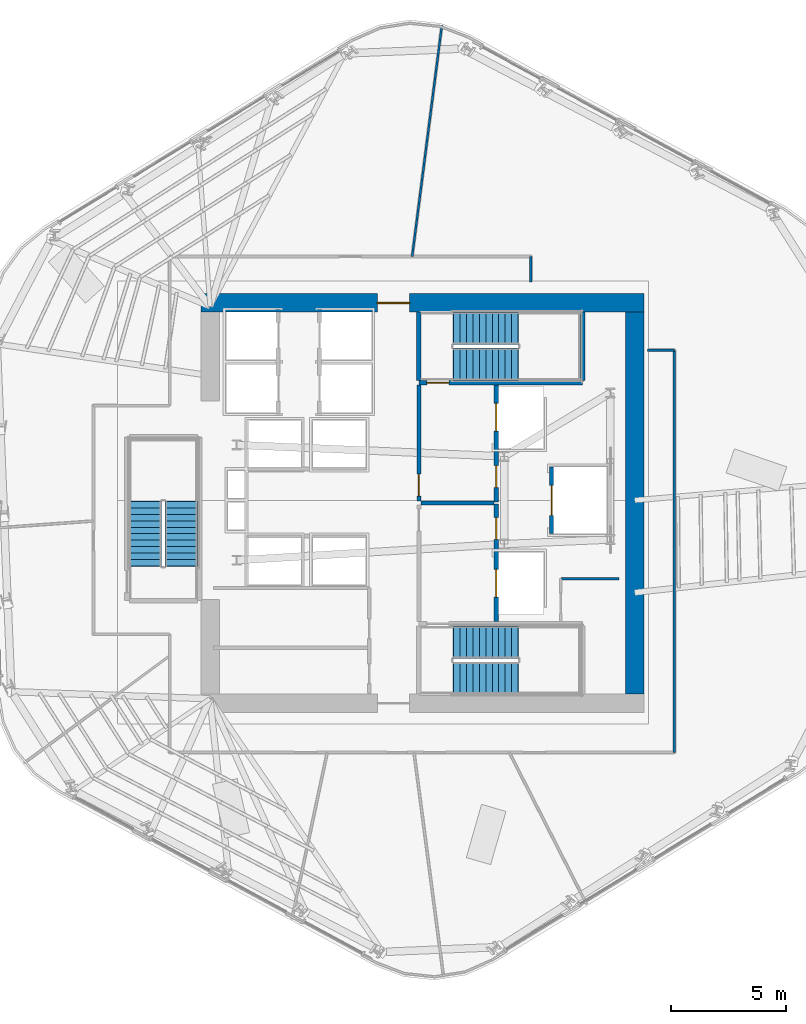
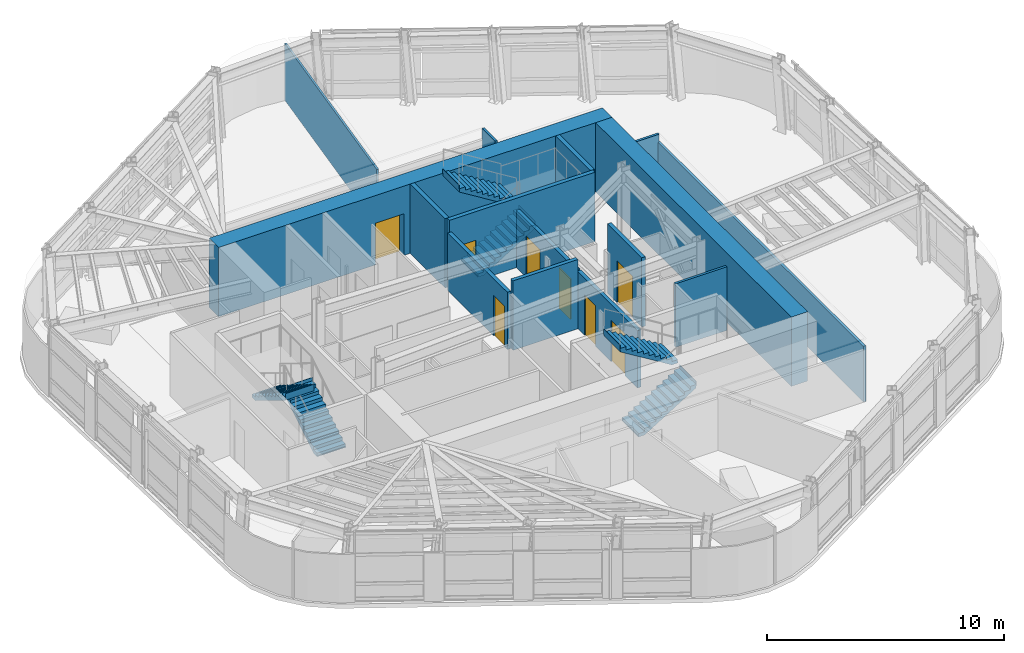
# One storey, part 9 of 15: 15 walls, 8 doors, 6 stair flights, 8 openings, 3 elements without a shape of their own.
"""IFC4 building model written with IfcOpenShell, lengths in metres."""

from ifc_helpers import new_model, si_unit, direction, frame, frame_2d, origin, place, context, subcontext, project, spatial, polyline, rectangle, outline, extrude, material, layer, layer_set, type_object, element, fill, aggregate, save


model = new_model("IFC4")

# Units and contexts
model_context = context("Model", 3, precision=1e-05, world=origin(), true_north=direction((0.0, 1.0)))
body_context = subcontext(model_context, "Body", "Model", "MODEL_VIEW")
ifc_project = project(units=[si_unit("LENGTHUNIT", "METRE"), si_unit("AREAUNIT", "SQUARE_METRE"), si_unit("VOLUMEUNIT", "CUBIC_METRE"), si_unit("PLANEANGLEUNIT", "RADIAN"), si_unit("MASSUNIT", "GRAM", prefix="KILO")], contexts=[model_context])

# Site, building, storey
site_placement = place(None, origin())
site = spatial("IfcSite", under=ifc_project, at=site_placement, CompositionType="ELEMENT")
building_placement = place(site_placement, origin())
building = spatial("IfcBuilding", under=site, at=building_placement, Name="Valkerne Bourse Tower", CompositionType="ELEMENT")
storey_placement = place(building_placement, frame((0.0, 0.0, 159.0)))
storey = spatial("IfcBuildingStorey", under=building, at=storey_placement, Name="L40", CompositionType="ELEMENT", Elevation=159.0)

# Wall, opening, door
ifc_material_1 = material(Name="Concrete C55/67", Category="concrete")
ifc_layer_1 = layer(ifc_material_1, 0.800048828125)
ifc_layer_set_1 = layer_set([ifc_layer_1], Name="Concrete C55/67")
wall_type_1 = type_object("IfcWallType", Name="W-CORE-800", PredefinedType="SHEAR", material=ifc_layer_set_1)
wall_1_placement = place(storey_placement, frame((37.199951171875, 35.550048828125, 0.0), z_axis=(0.0, 0.0, 1.0), x_axis=(1.0, 0.0, 0.0)))
wall_1 = element("IfcWall", 1, at=wall_1_placement, inside=storey, type_object=wall_type_1, Name="L40 Core Shear Wall NORTH", PredefinedType="SHEAR", context=body_context, shape_type="SweptSolid", body=[
    extrude(rectangle(XDim=19.199951171875, YDim=0.800048828125, at=frame_2d((9.60009765625, 0.0))), origin(), (0.0, 0.0, 1.0), 3.580078125),
])
opening_1_placement = place(wall_1_placement, frame((7.64990234375, 0.0, 0.0)))
opening_1 = element("IfcOpeningElement", 2, at=opening_1_placement, cuts=wall_1, Name="Opening D-PL-1400", PredefinedType="OPENING", context=body_context, shape_type="SweptSolid", body=[
    extrude(rectangle(XDim=1.39990234375, YDim=2.14990234375, at=frame_2d((0.699951171875, 1.074951171875))), frame((0.0, 0.409912109375, 0.0), z_axis=(0.0, -1.0, 0.0), x_axis=(1.0, 0.0, 0.0)), (0.0, 0.0, 1.0), 0.820068359375),
])
ifc_material_2 = material(Name="Galvanised Painted Steel", Category="steel")
door_type_1 = type_object("IfcDoorType", Name="DR-PLT-1400", OperationType="DOUBLE_DOOR_SINGLE_SWING", PredefinedType="DOOR", material=ifc_material_2)
door_1_placement = place(opening_1_placement, origin())
door_1 = element("IfcDoor", 3, at=door_1_placement, inside=storey, type_object=door_type_1, Name="L40 North Passenger Lift Hall Fire Door", OperationType="DOUBLE_DOOR_SINGLE_SWING", OverallHeight=2.14990234375, OverallWidth=1.39990234375, PredefinedType="DOOR", context=body_context, shape_type="SweptSolid", body=[
    extrude(rectangle(XDim=1.39990234375, YDim=2.14990234375, at=frame_2d((0.699951171875, 1.074951171875))), frame((0.0, 0.02490234375, 0.0), z_axis=(0.0, -1.0, 0.0), x_axis=(1.0, 0.0, 0.0)), (0.0, 0.0, 1.0), 0.050048828125),
])
fill(opening_1, door_1)

# Walls
wall_2_placement = place(storey_placement, frame((56.0, 18.60009765625, 0.0), z_axis=(0.0, 0.0, 1.0), x_axis=(0.0, 1.0, 0.0)))
element("IfcWall", 4, at=wall_2_placement, inside=storey, type_object=wall_type_1, Name="L40 Core Shear Wall EAST", PredefinedType="SHEAR", context=body_context, shape_type="SweptSolid", body=[
    extrude(rectangle(XDim=16.5498046875, YDim=0.800048828125, at=frame_2d((8.27490234375, 0.0))), origin(), (0.0, 0.0, 1.0), 3.580078125),
])
ifc_material_3 = material(Name="Gypsum Board Steel-Stud Partition", Category="steel")
ifc_layer_2 = layer(ifc_material_3, 0.117919921875)
ifc_layer_set_2 = layer_set([ifc_layer_2], Name="Gypsum Board Steel-Stud Partition")
wall_type_2 = type_object("IfcWallType", Name="W-CORR-140", PredefinedType="PARTITIONING", material=ifc_layer_set_2)
wall_3_placement = place(storey_placement, frame((52.800048828125, 23.60009765625, 0.0), z_axis=(0.0, 0.0, 1.0), x_axis=(1.0, 0.0, 0.0)))
element("IfcWall", 5, at=wall_3_placement, inside=storey, type_object=wall_type_2, Name="L40 Core SE South-Bay North Wall", PredefinedType="PARTITIONING", context=body_context, shape_type="SweptSolid", body=[
    extrude(rectangle(XDim=2.52001953125, YDim=0.117919921875, at=frame_2d((1.260009765625, 0.0))), origin(), (0.0, 0.0, 1.0), 3.280029296875),
])
wall_4_placement = place(storey_placement, frame((51.5, 37.56005859375, 0.0), z_axis=(0.0, 0.0, 1.0), x_axis=(0.0, -1.0, 0.0)))
element("IfcWall", 6, at=wall_4_placement, inside=storey, type_object=wall_type_2, Name="L40 Corridor Enclosure Wall", PredefinedType="PARTITIONING", context=body_context, shape_type="SweptSolid", body=[
    extrude(rectangle(XDim=1.10009765625, YDim=0.117919921875, at=frame_2d((0.550048828125, 0.0))), origin(), (0.0, 0.0, 1.0), 3.280029296875),
])
wall_5_placement = place(storey_placement, frame((56.56005859375, 33.5, 0.0), z_axis=(0.0, 0.0, 1.0), x_axis=(1.0, 0.0, 0.0)))
element("IfcWall", 7, at=wall_5_placement, inside=storey, type_object=wall_type_2, Name="L40 Corridor Enclosure Wall", PredefinedType="PARTITIONING", context=body_context, shape_type="SweptSolid", body=[
    extrude(rectangle(XDim=1.159912109375, YDim=0.117919921875, at=frame_2d((0.580078125, 0.0))), origin(), (0.0, 0.0, 1.0), 3.280029296875),
])
wall_6_placement = place(storey_placement, frame((57.719970703125, 33.5, 0.0), z_axis=(0.0, 0.0, 1.0), x_axis=(0.0, -1.0, 0.0)))
element("IfcWall", 8, at=wall_6_placement, inside=storey, type_object=wall_type_2, Name="L40 Corridor Enclosure Wall", PredefinedType="PARTITIONING", context=body_context, shape_type="SweptSolid", body=[
    extrude(rectangle(XDim=17.419921875, YDim=0.117919921875, at=frame_2d((8.7099609375, 0.0))), origin(), (0.0, 0.0, 1.0), 2.876708984375),
])
ifc_material_4 = material(Name="Gypsum Fire-Rated Shaftwall", Category="gypsum")
ifc_layer_3 = layer(ifc_material_4, 0.179931640625)
ifc_layer_set_3 = layer_set([ifc_layer_3], Name="Gypsum Fire-Rated Shaftwall")
wall_type_3 = type_object("IfcWallType", Name="W-FSAE-180", PredefinedType="PARTITIONING", material=ifc_layer_set_3)
wall_7_placement = place(storey_placement, frame((46.739990234375, 26.8798828125, 0.0), z_axis=(0.0, 0.0, 1.0), x_axis=(1.0, 0.0, 0.0)))
element("IfcWall", 9, at=wall_7_placement, inside=storey, type_object=wall_type_3, Name="L40 FSAE-1/2 Lobby Dividing Fire Wall", PredefinedType="PARTITIONING", context=body_context, shape_type="SweptSolid", body=[
    extrude(rectangle(XDim=3.169921875, YDim=0.179931640625, at=frame_2d((1.5849609375, 0.0))), origin(), (0.0, 0.0, 1.0), 3.580078125),
])

# Wall, opening, door
wall_8_placement = place(storey_placement, frame((46.64990234375, 26.9599609375, 0.0), z_axis=(0.0, 0.0, 1.0), x_axis=(0.0, 1.0, 0.0)))
wall_8 = element("IfcWall", 10, at=wall_8_placement, inside=storey, type_object=wall_type_3, Name="L40 FSAE-2 Lobby West Fire Wall", PredefinedType="PARTITIONING", context=body_context, shape_type="SweptSolid", body=[
    extrude(rectangle(XDim=5.0400390625, YDim=0.179931640625, at=frame_2d((2.52001953125, 0.0))), origin(), (0.0, 0.0, 1.0), 2.9580078125),
])
opening_2_placement = place(wall_8_placement, frame((0.219970703125, 0.0, 0.0)))
opening_2 = element("IfcOpeningElement", 11, at=opening_2_placement, cuts=wall_8, Name="Opening D-FS-950", PredefinedType="OPENING", context=body_context, shape_type="SweptSolid", body=[
    extrude(rectangle(XDim=0.949951171875, YDim=2.10009765625, at=frame_2d((0.47509765625, 1.050048828125))), frame((0.0, 0.099853515625, 0.0), z_axis=(0.0, -1.0, 0.0), x_axis=(1.0, 0.0, 0.0)), (0.0, 0.0, 1.0), 0.199951171875),
])
door_type_2 = type_object("IfcDoorType", Name="DR-FSAE-950", OperationType="NOTDEFINED", PredefinedType="DOOR", material=ifc_material_2)
door_2_placement = place(opening_2_placement, origin())
door_2 = element("IfcDoor", 12, at=door_2_placement, inside=storey, type_object=door_type_2, Name="L40 FSAE-2 Hall Link Fire Door", OperationType="SINGLE_SWING_LEFT", OverallHeight=2.10009765625, OverallWidth=0.949951171875, PredefinedType="DOOR", context=body_context, shape_type="SweptSolid", body=[
    extrude(rectangle(XDim=0.949951171875, YDim=2.10009765625, at=frame_2d((0.47509765625, 1.050048828125))), frame((0.0, 0.02490234375, 0.0), z_axis=(0.0, -1.0, 0.0), x_axis=(1.0, 0.0, 0.0)), (0.0, 0.0, 1.0), 0.050048828125),
])
fill(opening_2, door_2)

# Wall, openings, doors
wall_9_placement = place(storey_placement, frame((50.0, 21.75, 0.0), z_axis=(0.0, 0.0, 1.0), x_axis=(0.0, 1.0, 0.0)))
wall_9 = element("IfcWall", 13, at=wall_9_placement, inside=storey, type_object=wall_type_3, Name="L40 FSAE-1 Lobby & Shaft Front Wall", PredefinedType="PARTITIONING", context=body_context, shape_type="SweptSolid", body=[
    extrude(rectangle(XDim=5.090087890625, YDim=0.179931640625, at=frame_2d((2.544921875, 0.0))), origin(), (0.0, 0.0, 1.0), 2.9580078125),
])
opening_3_placement = place(wall_9_placement, frame((1.050048828125, 0.0, 0.0)))
opening_3 = element("IfcOpeningElement", 14, at=opening_3_placement, cuts=wall_9, Name="Opening LD-1200", PredefinedType="OPENING", context=body_context, shape_type="SweptSolid", body=[
    extrude(rectangle(XDim=1.199951171875, YDim=2.14990234375, at=frame_2d((0.60009765625, 1.074951171875))), frame((0.0, 0.099853515625, 0.0), z_axis=(0.0, -1.0, 0.0), x_axis=(1.0, 0.0, 0.0)), (0.0, 0.0, 1.0), 0.199951171875),
])
opening_4_placement = place(wall_9_placement, frame((3.550048828125, 0.0, 0.0)))
opening_4 = element("IfcOpeningElement", 15, at=opening_4_placement, cuts=wall_9, Name="Opening D-FS-950", PredefinedType="OPENING", context=body_context, shape_type="SweptSolid", body=[
    extrude(rectangle(XDim=0.949951171875, YDim=2.10009765625, at=frame_2d((0.47509765625, 1.050048828125))), frame((0.0, 0.099853515625, 0.0), z_axis=(0.0, -1.0, 0.0), x_axis=(1.0, 0.0, 0.0)), (0.0, 0.0, 1.0), 0.199951171875),
])
door_3_placement = place(opening_4_placement, origin())
door_3 = element("IfcDoor", 16, at=door_3_placement, inside=storey, type_object=door_type_2, Name="L40 FSAE-1 Lobby Corridor Fire Door", OperationType="SINGLE_SWING_RIGHT", OverallHeight=2.10009765625, OverallWidth=0.949951171875, PredefinedType="DOOR", context=body_context, shape_type="SweptSolid", body=[
    extrude(rectangle(XDim=0.949951171875, YDim=2.10009765625, at=frame_2d((0.47509765625, 1.050048828125))), frame((0.0, 0.02490234375, 0.0), z_axis=(0.0, -1.0, 0.0), x_axis=(1.0, 0.0, 0.0)), (0.0, 0.0, 1.0), 0.050048828125),
])
fill(opening_4, door_3)
ifc_material_5 = material(Name="Stainless Steel AISI 316", Category="steel")
door_type_3 = type_object("IfcDoorType", Name="DR-LIFT-1200", OperationType="DOUBLE_DOOR_SLIDING", PredefinedType="DOOR", material=ifc_material_5)
door_4_placement = place(opening_3_placement, origin())
door_4 = element("IfcDoor", 17, at=door_4_placement, inside=storey, type_object=door_type_3, Name="L40 FSAE-1 Firefighting Lift Landing Door", OperationType="DOUBLE_DOOR_SLIDING", OverallHeight=2.14990234375, OverallWidth=1.199951171875, PredefinedType="DOOR", context=body_context, shape_type="SweptSolid", body=[
    extrude(rectangle(XDim=1.199951171875, YDim=2.14990234375, at=frame_2d((0.60009765625, 1.074951171875))), frame((0.0, 0.02490234375, 0.0), z_axis=(0.0, -1.0, 0.0), x_axis=(1.0, 0.0, 0.0)), (0.0, 0.0, 1.0), 0.050048828125),
])
fill(opening_3, door_4)

wall_10_placement = place(storey_placement, frame((50.0, 26.919921875, 0.0), z_axis=(0.0, 0.0, 1.0), x_axis=(0.0, 1.0, 0.0)))
wall_10 = element("IfcWall", 18, at=wall_10_placement, inside=storey, type_object=wall_type_3, Name="L40 FSAE-2 Lobby & Shaft Front Wall", PredefinedType="PARTITIONING", context=body_context, shape_type="SweptSolid", body=[
    extrude(rectangle(XDim=5.080078125, YDim=0.179931640625, at=frame_2d((2.5400390625, 0.0))), origin(), (0.0, 0.0, 1.0), 2.9580078125),
])
opening_5_placement = place(wall_10_placement, frame((3.080078125, 0.0, 0.0)))
opening_5 = element("IfcOpeningElement", 19, at=opening_5_placement, cuts=wall_10, Name="Opening LD-1200", PredefinedType="OPENING", context=body_context, shape_type="SweptSolid", body=[
    extrude(rectangle(XDim=1.199951171875, YDim=2.14990234375, at=frame_2d((0.60009765625, 1.074951171875))), frame((0.0, 0.099853515625, 0.0), z_axis=(0.0, -1.0, 0.0), x_axis=(1.0, 0.0, 0.0)), (0.0, 0.0, 1.0), 0.199951171875),
])
opening_6_placement = place(wall_10_placement, frame((0.6298828125, 0.0, 0.0)))
opening_6 = element("IfcOpeningElement", 20, at=opening_6_placement, cuts=wall_10, Name="Opening D-FS-950", PredefinedType="OPENING", context=body_context, shape_type="SweptSolid", body=[
    extrude(rectangle(XDim=0.949951171875, YDim=2.10009765625, at=frame_2d((0.47509765625, 1.050048828125))), frame((0.0, 0.099853515625, 0.0), z_axis=(0.0, -1.0, 0.0), x_axis=(1.0, 0.0, 0.0)), (0.0, 0.0, 1.0), 0.199951171875),
])
door_5_placement = place(opening_6_placement, origin())
door_5 = element("IfcDoor", 21, at=door_5_placement, inside=storey, type_object=door_type_2, Name="L40 FSAE-2 Lobby Corridor Fire Door", OperationType="SINGLE_SWING_RIGHT", OverallHeight=2.10009765625, OverallWidth=0.949951171875, PredefinedType="DOOR", context=body_context, shape_type="SweptSolid", body=[
    extrude(rectangle(XDim=0.949951171875, YDim=2.10009765625, at=frame_2d((0.47509765625, 1.050048828125))), frame((0.0, 0.02490234375, 0.0), z_axis=(0.0, -1.0, 0.0), x_axis=(1.0, 0.0, 0.0)), (0.0, 0.0, 1.0), 0.050048828125),
])
fill(opening_6, door_5)
door_6_placement = place(opening_5_placement, origin())
door_6 = element("IfcDoor", 22, at=door_6_placement, inside=storey, type_object=door_type_3, Name="L40 FSAE-2 Firefighting Lift Landing Door", OperationType="DOUBLE_DOOR_SLIDING", OverallHeight=2.14990234375, OverallWidth=1.199951171875, PredefinedType="DOOR", context=body_context, shape_type="SweptSolid", body=[
    extrude(rectangle(XDim=1.199951171875, YDim=2.14990234375, at=frame_2d((0.60009765625, 1.074951171875))), frame((0.0, 0.02490234375, 0.0), z_axis=(0.0, -1.0, 0.0), x_axis=(1.0, 0.0, 0.0)), (0.0, 0.0, 1.0), 0.050048828125),
])
fill(opening_5, door_6)

# Wall, opening, door
ifc_material_6 = material(Name="CMU Blockwork Masonry 200mm", Category="masonry")
ifc_layer_4 = layer(ifc_material_6, 0.179931640625)
ifc_layer_set_4 = layer_set([ifc_layer_4], Name="CMU Blockwork Masonry 200mm")
wall_type_4 = type_object("IfcWallType", Name="W-LFT-180", PredefinedType="SOLIDWALL", material=ifc_layer_set_4)
wall_11_placement = place(storey_placement, frame((52.39990234375, 25.550048828125, 0.0), z_axis=(0.0, 0.0, 1.0), x_axis=(0.0, 1.0, 0.0)))
wall_11 = element("IfcWall", 23, at=wall_11_placement, inside=storey, type_object=wall_type_4, Name="L40 Service Lift SV-1 Front Wall", PredefinedType="SOLIDWALL", context=body_context, shape_type="SweptSolid", body=[
    extrude(rectangle(XDim=2.89990234375, YDim=0.179931640625, at=frame_2d((1.449951171875, 0.0))), origin(), (0.0, 0.0, 1.0), 3.580078125),
])
opening_7_placement = place(wall_11_placement, frame((0.800048828125, 0.0, 0.0)))
opening_7 = element("IfcOpeningElement", 24, at=opening_7_placement, cuts=wall_11, Name="Opening LD-1300", PredefinedType="OPENING", context=body_context, shape_type="SweptSolid", body=[
    extrude(rectangle(XDim=1.300048828125, YDim=2.14990234375, at=frame_2d((0.64990234375, 1.074951171875))), frame((0.0, 0.099853515625, 0.0), z_axis=(0.0, -1.0, 0.0), x_axis=(1.0, 0.0, 0.0)), (0.0, 0.0, 1.0), 0.199951171875),
])
door_type_4 = type_object("IfcDoorType", Name="DR-LIFT-1300", OperationType="DOUBLE_DOOR_SLIDING", PredefinedType="DOOR", material=ifc_material_5)
door_7_placement = place(opening_7_placement, origin())
door_7 = element("IfcDoor", 25, at=door_7_placement, inside=storey, type_object=door_type_4, Name="L40 Service Lift SV-1 Landing Door", OperationType="DOUBLE_DOOR_SLIDING", OverallHeight=2.14990234375, OverallWidth=1.300048828125, PredefinedType="DOOR", context=body_context, shape_type="SweptSolid", body=[
    extrude(rectangle(XDim=1.300048828125, YDim=2.14990234375, at=frame_2d((0.64990234375, 1.074951171875))), frame((0.0, 0.02490234375, 0.0), z_axis=(0.0, -1.0, 0.0), x_axis=(1.0, 0.0, 0.0)), (0.0, 0.0, 1.0), 0.050048828125),
])
fill(opening_7, door_7)

# Wall
ifc_layer_5 = layer(ifc_material_3, 0.092041015625)
ifc_layer_set_5 = layer_set([ifc_layer_5], Name="Gypsum Board Steel-Stud Partition")
wall_type_5 = type_object("IfcWallType", Name="W-PART-115", PredefinedType="PARTITIONING", material=ifc_layer_set_5)
wall_12_placement = place(storey_placement, frame((46.3583984375, 37.56494140625, 0.0), z_axis=(0.0, 0.0, 1.0), x_axis=(0.127551646378, 0.99183193007, 0.0)))
element("IfcWall", 26, at=wall_12_placement, inside=storey, type_object=wall_type_5, Name="L40 Suite Partition P04", PredefinedType="PARTITIONING", context=body_context, shape_type="SweptSolid", body=[
    extrude(rectangle(XDim=10.0966796875, YDim=0.092041015625, at=frame_2d((5.04833984375, 0.0))), origin(), (0.0, 0.0, 1.0), 2.942626953125),
])

# Wall, opening, door
ifc_material_7 = material(Name="Concrete C40/50", Category="concrete")
ifc_layer_6 = layer(ifc_material_7, 0.199951171875)
ifc_layer_set_6 = layer_set([ifc_layer_6], Name="Concrete C40/50")
wall_type_6 = type_object("IfcWallType", Name="W-SHF-200", PredefinedType="SHEAR", material=ifc_layer_set_6)
wall_13_placement = place(storey_placement, frame((46.64990234375, 32.10009765625, 0.0), z_axis=(0.0, 0.0, 1.0), x_axis=(1.0, 0.0, 0.0)))
wall_13 = element("IfcWall", 27, at=wall_13_placement, inside=storey, type_object=wall_type_6, Name="L40 Exit Stair ST-2 Structural Shaft Wall South", PredefinedType="SHEAR", context=body_context, shape_type="SweptSolid", body=[
    extrude(rectangle(XDim=7.10009765625, YDim=0.199951171875, at=frame_2d((3.550048828125, 0.0))), origin(), (0.0, 0.0, 1.0), 3.580078125),
])
opening_8_placement = place(wall_13_placement, frame((0.35009765625, 0.0, 0.0)))
opening_8 = element("IfcOpeningElement", 28, at=opening_8_placement, cuts=wall_13, Name="Opening D-ST-950", PredefinedType="OPENING", context=body_context, shape_type="SweptSolid", body=[
    extrude(rectangle(XDim=0.949951171875, YDim=2.10009765625, at=frame_2d((0.47509765625, 1.050048828125))), frame((0.0, 0.10986328125, 0.0), z_axis=(0.0, -1.0, 0.0), x_axis=(1.0, 0.0, 0.0)), (0.0, 0.0, 1.0), 0.219970703125),
])
door_type_5 = type_object("IfcDoorType", Name="DR-STAIR-950", OperationType="NOTDEFINED", PredefinedType="DOOR", material=ifc_material_2)
door_8_placement = place(opening_8_placement, origin())
door_8 = element("IfcDoor", 29, at=door_8_placement, inside=storey, type_object=door_type_5, Name="L40 Exit Stair ST-2 Door", OperationType="SINGLE_SWING_LEFT", OverallHeight=2.10009765625, OverallWidth=0.949951171875, PredefinedType="DOOR", context=body_context, shape_type="SweptSolid", body=[
    extrude(rectangle(XDim=0.949951171875, YDim=2.10009765625, at=frame_2d((0.47509765625, 1.050048828125))), frame((0.0, 0.02490234375, 0.0), z_axis=(0.0, -1.0, 0.0), x_axis=(1.0, 0.0, 0.0)), (0.0, 0.0, 1.0), 0.050048828125),
])
fill(opening_8, door_8)

# Walls
for number, where, z_axis, x_axis, name in (
    (30, (46.64990234375, 32.199951171875, 0.0), (0.0, 0.0, 1.0), (0.0, 1.0, 0.0), "L40 Exit Stair ST-2 Structural Shaft Wall West"),
    (31, (53.75, 32.199951171875, 0.0), (0.0, 0.0, 1.0), (0.0, 1.0, 0.0), "L40 Exit Stair ST-2 Structural Shaft Wall East"),
):
    element("IfcWall", number, at=place(storey_placement, frame(where, z_axis=z_axis, x_axis=x_axis)), inside=storey, type_object=wall_type_6, Name=name, PredefinedType="SHEAR", context=body_context, shape_type="SweptSolid", body=[
        extrude(rectangle(XDim=2.949951171875, YDim=0.199951171875, at=frame_2d((1.47509765625, 0.0))), origin(), (0.0, 0.0, 1.0), 3.580078125),
    ])

# Stair, stair flights
stair_type = type_object("IfcStairType", Name="ST-CORE-1400", PredefinedType="HALF_TURN_STAIR", material=ifc_material_7)
stair_1_placement = place(storey_placement, origin())
stair_1 = element("IfcStair", 32, at=stair_1_placement, inside=storey, type_object=stair_type, Name="L40 ST-1", PredefinedType="HALF_TURN_STAIR")
stair_flight_type = type_object("IfcStairFlightType", Name="STF-CORE-1400", PredefinedType="STRAIGHT", material=ifc_material_7)
stair_flight_1_placement = place(storey_placement, frame((48.14990234375, 19.300048828125, 0.0), z_axis=(0.0, 0.0, 1.0), x_axis=(1.0, 0.0, 0.0)))
stair_flight_1 = element("IfcStairFlight", 33, at=stair_flight_1_placement, type_object=stair_flight_type, Name="ST-1 flight 1", NumberOfRisers=11, NumberOfTreads=10, PredefinedType="STRAIGHT", RiserHeight=0.172727273, TreadLength=0.28, context=body_context, shape_type="SweptSolid", body=[
    extrude(outline(polyline([(-0.02001953125, 0.0), (-0.02001953125, 0.044921875), (0.0, 0.044921875), (0.0, 0.172607421875), (0.280029296875, 0.172607421875), (0.280029296875, 0.345458984375), (0.56005859375, 0.345458984375), (0.56005859375, 0.51806640625), (0.840087890625, 0.51806640625), (0.840087890625, 0.69091796875), (1.1201171875, 0.69091796875), (1.1201171875, 0.863525390625), (1.39990234375, 0.863525390625), (1.39990234375, 1.036376953125), (1.679931640625, 1.036376953125), (1.679931640625, 1.208984375), (1.9599609375, 1.208984375), (1.9599609375, 1.3818359375), (2.239990234375, 1.3818359375), (2.239990234375, 1.554443359375), (2.52001953125, 1.554443359375), (2.52001953125, 1.727294921875), (2.800048828125, 1.727294921875), (2.800048828125, 1.89990234375), (2.820068359375, 1.89990234375), (2.820068359375, 1.780029296875), (2.800048828125, 1.551025390625), (0.285400390625, 0.0), (-0.02001953125, 0.0)])), frame((0.0, 0.699951171875, 0.0), z_axis=(0.0, -1.0, 0.0), x_axis=(1.0, 0.0, 0.0)), (0.0, 0.0, 1.0), 1.39990234375),
])
stair_flight_2_placement = place(storey_placement, frame((50.949951171875, 20.85009765625, 1.89990234375), z_axis=(0.0, 0.0, 1.0), x_axis=(-1.0, 0.0, 0.0)))
stair_flight_2 = element("IfcStairFlight", 34, at=stair_flight_2_placement, type_object=stair_flight_type, Name="ST-1 flight 2", NumberOfRisers=11, NumberOfTreads=10, PredefinedType="STRAIGHT", RiserHeight=0.172727273, TreadLength=0.28, context=body_context, shape_type="SweptSolid", body=[
    extrude(outline(polyline([(-0.02001953125, 0.0), (-0.02001953125, 0.044921875), (0.0, 0.044921875), (0.0, 0.172607421875), (0.280029296875, 0.172607421875), (0.280029296875, 0.345458984375), (0.56005859375, 0.345458984375), (0.56005859375, 0.51806640625), (0.840087890625, 0.51806640625), (0.840087890625, 0.69091796875), (1.1201171875, 0.69091796875), (1.1201171875, 0.863525390625), (1.39990234375, 0.863525390625), (1.39990234375, 1.036376953125), (1.679931640625, 1.036376953125), (1.679931640625, 1.208984375), (1.9599609375, 1.208984375), (1.9599609375, 1.3818359375), (2.239990234375, 1.3818359375), (2.239990234375, 1.554443359375), (2.52001953125, 1.554443359375), (2.52001953125, 1.727294921875), (2.800048828125, 1.727294921875), (2.800048828125, 1.89990234375), (2.820068359375, 1.89990234375), (2.820068359375, 1.780029296875), (2.800048828125, 1.551025390625), (0.285400390625, 0.0), (-0.02001953125, 0.0)])), frame((0.0, 0.699951171875, 0.0), z_axis=(0.0, -1.0, 0.0), x_axis=(1.0, 0.0, 0.0)), (0.0, 0.0, 1.0), 1.39990234375),
])
aggregate(stair_1, [stair_flight_1, stair_flight_2])

stair_2_placement = place(storey_placement, origin())
stair_2 = element("IfcStair", 35, at=stair_2_placement, inside=storey, type_object=stair_type, Name="L40 ST-2", PredefinedType="HALF_TURN_STAIR")
stair_flight_3_placement = place(storey_placement, frame((48.14990234375, 32.89990234375, 0.0), z_axis=(0.0, 0.0, 1.0), x_axis=(1.0, 0.0, 0.0)))
stair_flight_3 = element("IfcStairFlight", 36, at=stair_flight_3_placement, type_object=stair_flight_type, Name="ST-2 flight 1", NumberOfRisers=11, NumberOfTreads=10, PredefinedType="STRAIGHT", RiserHeight=0.172727273, TreadLength=0.28, context=body_context, shape_type="SweptSolid", body=[
    extrude(outline(polyline([(-0.02001953125, 0.0), (-0.02001953125, 0.044921875), (0.0, 0.044921875), (0.0, 0.172607421875), (0.280029296875, 0.172607421875), (0.280029296875, 0.345458984375), (0.56005859375, 0.345458984375), (0.56005859375, 0.51806640625), (0.840087890625, 0.51806640625), (0.840087890625, 0.69091796875), (1.1201171875, 0.69091796875), (1.1201171875, 0.863525390625), (1.39990234375, 0.863525390625), (1.39990234375, 1.036376953125), (1.679931640625, 1.036376953125), (1.679931640625, 1.208984375), (1.9599609375, 1.208984375), (1.9599609375, 1.3818359375), (2.239990234375, 1.3818359375), (2.239990234375, 1.554443359375), (2.52001953125, 1.554443359375), (2.52001953125, 1.727294921875), (2.800048828125, 1.727294921875), (2.800048828125, 1.89990234375), (2.820068359375, 1.89990234375), (2.820068359375, 1.780029296875), (2.800048828125, 1.551025390625), (0.285400390625, 0.0), (-0.02001953125, 0.0)])), frame((0.0, 0.699951171875, 0.0), z_axis=(0.0, -1.0, 0.0), x_axis=(1.0, 0.0, 0.0)), (0.0, 0.0, 1.0), 1.39990234375),
])
stair_flight_4_placement = place(storey_placement, frame((50.949951171875, 34.449951171875, 1.89990234375), z_axis=(0.0, 0.0, 1.0), x_axis=(-1.0, 0.0, 0.0)))
stair_flight_4 = element("IfcStairFlight", 37, at=stair_flight_4_placement, type_object=stair_flight_type, Name="ST-2 flight 2", NumberOfRisers=11, NumberOfTreads=10, PredefinedType="STRAIGHT", RiserHeight=0.172727273, TreadLength=0.28, context=body_context, shape_type="SweptSolid", body=[
    extrude(outline(polyline([(-0.02001953125, 0.0), (-0.02001953125, 0.044921875), (0.0, 0.044921875), (0.0, 0.172607421875), (0.280029296875, 0.172607421875), (0.280029296875, 0.345458984375), (0.56005859375, 0.345458984375), (0.56005859375, 0.51806640625), (0.840087890625, 0.51806640625), (0.840087890625, 0.69091796875), (1.1201171875, 0.69091796875), (1.1201171875, 0.863525390625), (1.39990234375, 0.863525390625), (1.39990234375, 1.036376953125), (1.679931640625, 1.036376953125), (1.679931640625, 1.208984375), (1.9599609375, 1.208984375), (1.9599609375, 1.3818359375), (2.239990234375, 1.3818359375), (2.239990234375, 1.554443359375), (2.52001953125, 1.554443359375), (2.52001953125, 1.727294921875), (2.800048828125, 1.727294921875), (2.800048828125, 1.89990234375), (2.820068359375, 1.89990234375), (2.820068359375, 1.780029296875), (2.800048828125, 1.551025390625), (0.285400390625, 0.0), (-0.02001953125, 0.0)])), frame((0.0, 0.699951171875, 0.0), z_axis=(0.0, -1.0, 0.0), x_axis=(1.0, 0.0, 0.0)), (0.0, 0.0, 1.0), 1.39990234375),
])
aggregate(stair_2, [stair_flight_3, stair_flight_4])

stair_3_placement = place(storey_placement, origin())
stair_3 = element("IfcStair", 38, at=stair_3_placement, inside=storey, type_object=stair_type, Name="L40 ST-3", PredefinedType="HALF_TURN_STAIR")
stair_flight_5_placement = place(storey_placement, frame((36.35009765625, 24.14990234375, 0.0), z_axis=(0.0, 0.0, 1.0), x_axis=(0.0, 1.0, 0.0)))
stair_flight_5 = element("IfcStairFlight", 39, at=stair_flight_5_placement, type_object=stair_flight_type, Name="ST-3 flight 1", NumberOfRisers=11, NumberOfTreads=10, PredefinedType="STRAIGHT", RiserHeight=0.172727273, TreadLength=0.28, context=body_context, shape_type="SweptSolid", body=[
    extrude(outline(polyline([(-0.02001953125, 0.0), (-0.02001953125, 0.044921875), (0.0, 0.044921875), (0.0, 0.172607421875), (0.280029296875, 0.172607421875), (0.280029296875, 0.345458984375), (0.56005859375, 0.345458984375), (0.56005859375, 0.51806640625), (0.840087890625, 0.51806640625), (0.840087890625, 0.69091796875), (1.1201171875, 0.69091796875), (1.1201171875, 0.863525390625), (1.39990234375, 0.863525390625), (1.39990234375, 1.036376953125), (1.679931640625, 1.036376953125), (1.679931640625, 1.208984375), (1.9599609375, 1.208984375), (1.9599609375, 1.3818359375), (2.239990234375, 1.3818359375), (2.239990234375, 1.554443359375), (2.52001953125, 1.554443359375), (2.52001953125, 1.727294921875), (2.800048828125, 1.727294921875), (2.800048828125, 1.89990234375), (2.820068359375, 1.89990234375), (2.820068359375, 1.780029296875), (2.800048828125, 1.551025390625), (0.285400390625, 0.0), (-0.02001953125, 0.0)])), frame((0.0, 0.699951171875, 0.0), z_axis=(0.0, -1.0, 0.0), x_axis=(1.0, 0.0, 0.0)), (0.0, 0.0, 1.0), 1.39990234375),
])
stair_flight_6_placement = place(storey_placement, frame((34.800048828125, 26.949951171875, 1.89990234375), z_axis=(0.0, 0.0, 1.0), x_axis=(0.0, -1.0, 0.0)))
stair_flight_6 = element("IfcStairFlight", 40, at=stair_flight_6_placement, type_object=stair_flight_type, Name="ST-3 flight 2", NumberOfRisers=11, NumberOfTreads=10, PredefinedType="STRAIGHT", RiserHeight=0.172727273, TreadLength=0.28, context=body_context, shape_type="SweptSolid", body=[
    extrude(outline(polyline([(-0.02001953125, 0.0), (-0.02001953125, 0.044921875), (0.0, 0.044921875), (0.0, 0.172607421875), (0.280029296875, 0.172607421875), (0.280029296875, 0.345458984375), (0.56005859375, 0.345458984375), (0.56005859375, 0.51806640625), (0.840087890625, 0.51806640625), (0.840087890625, 0.69091796875), (1.1201171875, 0.69091796875), (1.1201171875, 0.863525390625), (1.39990234375, 0.863525390625), (1.39990234375, 1.036376953125), (1.679931640625, 1.036376953125), (1.679931640625, 1.208984375), (1.9599609375, 1.208984375), (1.9599609375, 1.3818359375), (2.239990234375, 1.3818359375), (2.239990234375, 1.554443359375), (2.52001953125, 1.554443359375), (2.52001953125, 1.727294921875), (2.800048828125, 1.727294921875), (2.800048828125, 1.89990234375), (2.820068359375, 1.89990234375), (2.820068359375, 1.780029296875), (2.800048828125, 1.551025390625), (0.285400390625, 0.0), (-0.02001953125, 0.0)])), frame((0.0, 0.699951171875, 0.0), z_axis=(0.0, -1.0, 0.0), x_axis=(1.0, 0.0, 0.0)), (0.0, 0.0, 1.0), 1.39990234375),
])
aggregate(stair_3, [stair_flight_5, stair_flight_6])

save(model, "model.ifc")
